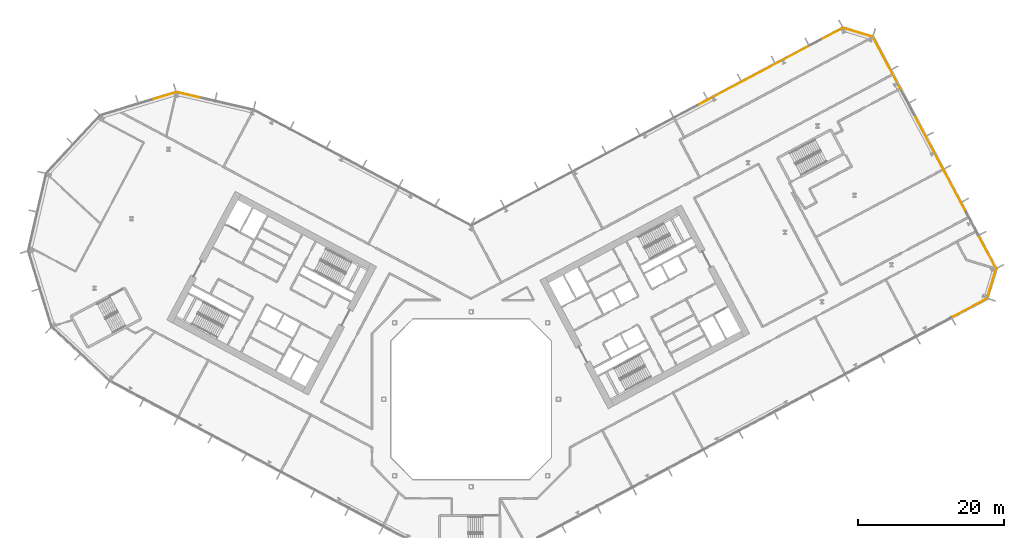
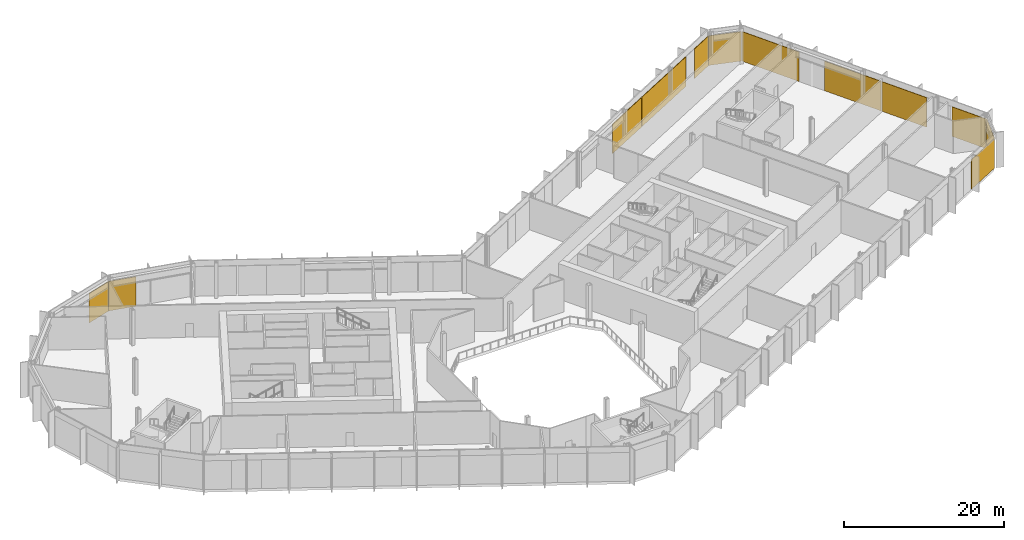
# One storey, part 31 of 31: 12 coverings, 7 elements without a shape of their own.
"""IFC4 building model written with IfcOpenShell, lengths in metres."""

from ifc_helpers import new_model, si_unit, direction, frame, origin, origin_2d, place, context, subcontext, project, spatial, rectangle, extrude, material, layer, layer_set, type_object, element, aggregate, save


model = new_model("IFC4")

# Units and contexts
model_context = context("Model", 3, precision=1e-05, world=origin(), true_north=direction((0.0, 1.0)))
body_context = subcontext(model_context, "Body", "Model", "MODEL_VIEW")
ifc_project = project(units=[si_unit("LENGTHUNIT", "METRE"), si_unit("AREAUNIT", "SQUARE_METRE"), si_unit("VOLUMEUNIT", "CUBIC_METRE"), si_unit("PLANEANGLEUNIT", "RADIAN"), si_unit("MASSUNIT", "GRAM", prefix="KILO")], contexts=[model_context])

# Site, building, storey
site_placement = place(None, origin())
site = spatial("IfcSite", under=ifc_project, at=site_placement, CompositionType="ELEMENT")
building_placement = place(site_placement, origin())
building = spatial("IfcBuilding", under=site, at=building_placement, Name="Cormorant Relay Tower", CompositionType="ELEMENT")
storey_placement = place(building_placement, frame((0.0, 0.0, 33.800048828125)))
storey = spatial("IfcBuildingStorey", under=building, at=storey_placement, Name="L06", CompositionType="ELEMENT", Elevation=33.800048828125)

# Curtain wall, covering
ifc_material_1 = material(Name="Aluminium 6063-T6 anodised bronze", Category="aluminium")
ifc_layer_1 = layer(ifc_material_1, 0.235107421875)
ifc_layer_set_1 = layer_set([ifc_layer_1], Name="CW6 data hall curtain wall with mineral wool panels")
curtain_wall_type = type_object("IfcCurtainWallType", Name="CW6 data hall curtain wall with mineral wool panels", PredefinedType="NOTDEFINED", material=ifc_layer_set_1)
curtain_wall_1_placement = place(storey_placement, origin())
curtain_wall_1 = element("IfcCurtainWall", 1, at=curtain_wall_1_placement, inside=storey, type_object=curtain_wall_type, Name="CW6 curtain wall 2", PredefinedType="NOTDEFINED")
ifc_material_2 = material(Name="Mineral wool cored anodised bronze aluminium cassette panel", Category="aluminium")
ifc_layer_2 = layer(ifc_material_2, 0.074951171875)
ifc_layer_set_2 = layer_set([ifc_layer_2], Name="CW6 mineral wool cassette panel 75")
covering_type = type_object("IfcCoveringType", Name="CW6 mineral wool cassette panel 75", PredefinedType="CLADDING", material=ifc_layer_set_2)
covering_1_placement = place(storey_placement, frame((68.399658203125, 12.542236328125, 0.0), z_axis=(0.0, 0.0, 1.0), x_axis=(0.882947592859, 0.469471562786, 0.0)))
covering_1 = element("IfcCovering", 2, at=covering_1_placement, type_object=covering_type, Name="CW6 panel S13", PredefinedType="CLADDING", context=body_context, shape_type="SweptSolid", body=[
    extrude(rectangle(XDim=5.436767578125, YDim=0.074951171875, at=origin_2d()), origin(), (0.0, 0.0, 1.0), 4.5),
])
aggregate(curtain_wall_1, [covering_1])

curtain_wall_2_placement = place(storey_placement, origin())
curtain_wall_2 = element("IfcCurtainWall", 3, at=curtain_wall_2_placement, inside=storey, type_object=curtain_wall_type, Name="CW6 curtain wall 3", PredefinedType="NOTDEFINED")
covering_2_placement = place(storey_placement, frame((71.44921875, 15.9052734375, 0.0), z_axis=(0.0, 0.0, 1.0), x_axis=(0.292371704723, 0.956304755963, 0.0)))
covering_2 = element("IfcCovering", 4, at=covering_2_placement, type_object=covering_type, Name="CW6 panel S00", PredefinedType="CLADDING", context=body_context, shape_type="SweptSolid", body=[
    extrude(rectangle(XDim=4.16748046875, YDim=0.074951171875, at=origin_2d()), origin(), (0.0, 0.0, 1.0), 4.5),
])
aggregate(curtain_wall_2, [covering_2])

# Curtain wall, coverings
curtain_wall_3_placement = place(storey_placement, origin())
curtain_wall_3 = element("IfcCurtainWall", 5, at=curtain_wall_3_placement, inside=storey, type_object=curtain_wall_type, Name="CW6 curtain wall 4", PredefinedType="NOTDEFINED")
covering_3_placement = place(storey_placement, frame((70.8486328125, 20.197021484375, 0.0), z_axis=(0.0, 0.0, 1.0), x_axis=(-0.469471562786, 0.882947592859, 0.0)))
covering_3 = element("IfcCovering", 6, at=covering_3_placement, type_object=covering_type, Name="CW6 panel S00", PredefinedType="CLADDING", context=body_context, shape_type="SweptSolid", body=[
    extrude(rectangle(XDim=4.992919921875, YDim=0.074951171875, at=origin_2d()), origin(), (0.0, 0.0, 1.0), 4.5),
])
covering_4_placement = place(storey_placement, frame((66.3818359375, 28.59765625, 0.0), z_axis=(0.0, 0.0, 1.0), x_axis=(-0.469471562786, 0.882947592859, 0.0)))
covering_4 = element("IfcCovering", 7, at=covering_4_placement, type_object=covering_type, Name="CW6 panel S02", PredefinedType="CLADDING", context=body_context, shape_type="SweptSolid", body=[
    extrude(rectangle(XDim=6.53564453125, YDim=0.074951171875, at=origin_2d()), origin(), (0.0, 0.0, 1.0), 4.5),
])
covering_5_placement = place(storey_placement, frame((62.820556640625, 35.29541015625, 0.0), z_axis=(0.0, 0.0, 1.0), x_axis=(-0.469471562786, 0.882947592859, 0.0)))
covering_5 = element("IfcCovering", 8, at=covering_5_placement, type_object=covering_type, Name="CW6 panel S03", PredefinedType="CLADDING", context=body_context, shape_type="SweptSolid", body=[
    extrude(rectangle(XDim=8.335693359375, YDim=0.074951171875, at=origin_2d()), origin(), (0.0, 0.0, 1.0), 4.5),
])
covering_6_placement = place(storey_placement, frame((57.129150390625, 45.99951171875, 0.0), z_axis=(0.0, 0.0, 1.0), x_axis=(-0.469471562786, 0.882947592859, 0.0)))
covering_6 = element("IfcCovering", 9, at=covering_6_placement, type_object=covering_type, Name="CW6 panel S06", PredefinedType="CLADDING", context=body_context, shape_type="SweptSolid", body=[
    extrude(rectangle(XDim=8.41064453125, YDim=0.074951171875, at=origin_2d()), origin(), (0.0, 0.0, 1.0), 4.5),
])
aggregate(curtain_wall_3, [covering_3, covering_4, covering_5, covering_6])

# Curtain wall, covering
curtain_wall_4_placement = place(storey_placement, origin())
curtain_wall_4 = element("IfcCurtainWall", 10, at=curtain_wall_4_placement, inside=storey, type_object=curtain_wall_type, Name="CW6 curtain wall 5", PredefinedType="NOTDEFINED")
covering_7_placement = place(storey_placement, frame((53.068115234375, 50.362060546875, 0.0), z_axis=(0.0, 0.0, 1.0), x_axis=(-0.956304755963, 0.292371704723, 0.0)))
covering_7 = element("IfcCovering", 11, at=covering_7_placement, type_object=covering_type, Name="CW6 panel S00", PredefinedType="CLADDING", context=body_context, shape_type="SweptSolid", body=[
    extrude(rectangle(XDim=4.16748046875, YDim=0.074951171875, at=origin_2d()), origin(), (0.0, 0.0, 1.0), 4.5),
])
aggregate(curtain_wall_4, [covering_7])

# Curtain wall, coverings
curtain_wall_5_placement = place(storey_placement, origin())
curtain_wall_5 = element("IfcCurtainWall", 12, at=curtain_wall_5_placement, inside=storey, type_object=curtain_wall_type, Name="CW6 curtain wall 6", PredefinedType="NOTDEFINED")
covering_8_placement = place(storey_placement, frame((49.5205078125, 50.156982421875, 0.0), z_axis=(0.0, 0.0, 1.0), x_axis=(-0.882947592859, -0.469471562786, 0.0)))
covering_8 = element("IfcCovering", 13, at=covering_8_placement, type_object=covering_type, Name="CW6 panel S00", PredefinedType="CLADDING", context=body_context, shape_type="SweptSolid", body=[
    extrude(rectangle(XDim=3.3076171875, YDim=0.074951171875, at=origin_2d()), origin(), (0.0, 0.0, 1.0), 4.5),
])
covering_9_placement = place(storey_placement, frame((41.762451171875, 46.031982421875, 0.0), z_axis=(0.0, 0.0, 1.0), x_axis=(-0.882947592859, -0.469471562786, 0.0)))
covering_9 = element("IfcCovering", 14, at=covering_9_placement, type_object=covering_type, Name="CW6 panel S02", PredefinedType="CLADDING", context=body_context, shape_type="SweptSolid", body=[
    extrude(rectangle(XDim=10.365234375, YDim=0.074951171875, at=origin_2d()), origin(), (0.0, 0.0, 1.0), 4.5),
])
covering_10_placement = place(storey_placement, frame((34.0673828125, 41.940185546875, 0.0), z_axis=(0.0, 0.0, 1.0), x_axis=(-0.882947592859, -0.469471562786, 0.0)))
covering_10 = element("IfcCovering", 15, at=covering_10_placement, type_object=covering_type, Name="CW6 panel S03", PredefinedType="CLADDING", context=body_context, shape_type="SweptSolid", body=[
    extrude(rectangle(XDim=6.765380859375, YDim=0.074951171875, at=origin_2d()), origin(), (0.0, 0.0, 1.0), 4.5),
])
aggregate(curtain_wall_5, [covering_8, covering_9, covering_10])

# Curtain wall, covering
curtain_wall_6_placement = place(storey_placement, origin())
curtain_wall_6 = element("IfcCurtainWall", 16, at=curtain_wall_6_placement, inside=storey, type_object=curtain_wall_type, Name="CW6 curtain wall 8", PredefinedType="NOTDEFINED")
covering_11_placement = place(storey_placement, frame((-38.72265625, 41.74951171875, 0.0), z_axis=(0.0, 0.0, 1.0), x_axis=(-0.974370064785, 0.224951054344, 0.0)))
covering_11 = element("IfcCovering", 17, at=covering_11_placement, type_object=covering_type, Name="CW6 panel S02", PredefinedType="CLADDING", context=body_context, shape_type="SweptSolid", body=[
    extrude(rectangle(XDim=3.560302734375, YDim=0.074951171875, at=origin_2d()), origin(), (0.0, 0.0, 1.0), 4.5),
])
aggregate(curtain_wall_6, [covering_11])

curtain_wall_7_placement = place(storey_placement, origin())
curtain_wall_7 = element("IfcCurtainWall", 18, at=curtain_wall_7_placement, inside=storey, type_object=curtain_wall_type, Name="CW6 curtain wall 9", PredefinedType="NOTDEFINED")
covering_12_placement = place(storey_placement, frame((-42.214599609375, 41.617919921875, 0.0), z_axis=(0.0, 0.0, 1.0), x_axis=(-0.956304755963, -0.292371704723, 0.0)))
covering_12 = element("IfcCovering", 19, at=covering_12_placement, type_object=covering_type, Name="CW6 panel S00", PredefinedType="CLADDING", context=body_context, shape_type="SweptSolid", body=[
    extrude(rectangle(XDim=3.485107421875, YDim=0.074951171875, at=origin_2d()), origin(), (0.0, 0.0, 1.0), 4.5),
])
aggregate(curtain_wall_7, [covering_12])

save(model, "model.ifc")
